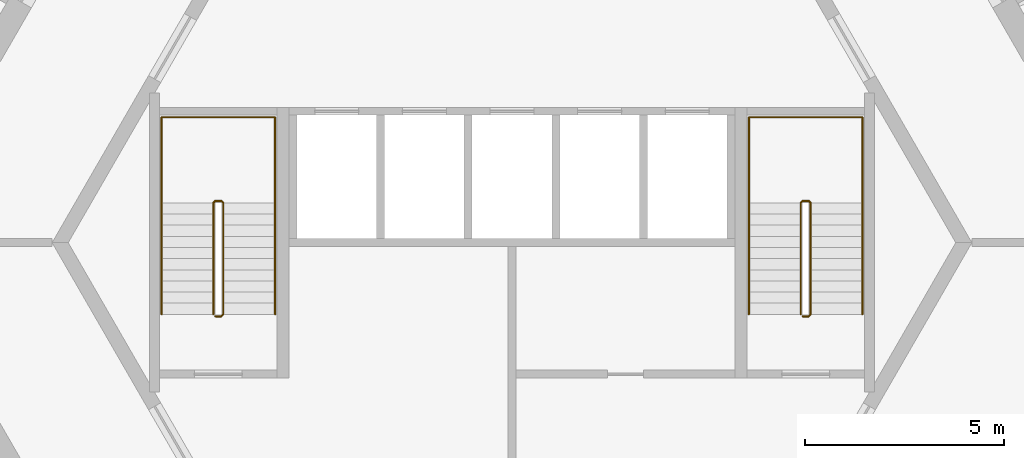
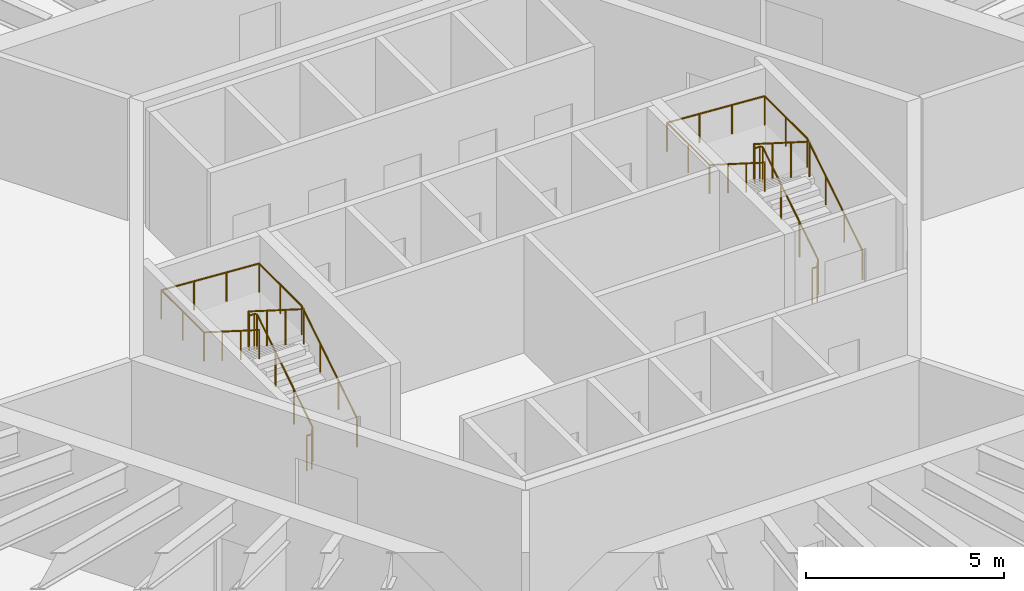
# One storey, part 11 of 11: 4 railings.
"""IFC4 building model written with IfcOpenShell, lengths in metres."""

from ifc_helpers import new_model, si_unit, direction, frame, origin, origin_2d, place, context, subcontext, project, spatial, circle, extrude, material, type_object, element, save


model = new_model("IFC4")

# Units and contexts
model_context = context("Model", 3, precision=1e-05, world=origin(), true_north=direction((0.0, 1.0)))
body_context = subcontext(model_context, "Body", "Model", "MODEL_VIEW")
ifc_project = project(units=[si_unit("LENGTHUNIT", "METRE"), si_unit("AREAUNIT", "SQUARE_METRE"), si_unit("VOLUMEUNIT", "CUBIC_METRE"), si_unit("PLANEANGLEUNIT", "RADIAN"), si_unit("MASSUNIT", "GRAM", prefix="KILO")], contexts=[model_context])

# Site, building, storey
site_placement = place(None, origin())
site = spatial("IfcSite", under=ifc_project, at=site_placement, CompositionType="ELEMENT")
building_placement = place(site_placement, origin())
building = spatial("IfcBuilding", under=site, at=building_placement, Name="Tarnside Tower", CompositionType="ELEMENT")
storey_placement = place(building_placement, frame((0.0, 0.0, 107.699951171875)))
storey = spatial("IfcBuildingStorey", under=building, at=storey_placement, Name="L24", CompositionType="ELEMENT", Elevation=107.699951171875)

# Railings
ifc_material = material(Name="Stainless steel", Category="steel")
railing_type_1 = type_object("IfcRailingType", Name="Stair guard 1100", PredefinedType="GUARDRAIL", material=ifc_material)
railing_1_placement = place(storey_placement, frame((7.300048828125, -1.85009765625, 0.0)))
element("IfcRailing", 1, at=railing_1_placement, inside=storey, type_object=railing_type_1, Name="L24 ST1 stair guard 1", PredefinedType="GUARDRAIL", context=body_context, shape_type="SweptSolid", body=[
    extrude(circle(Radius=0.02392578125, at=origin_2d()), frame((0.0, 0.0, 1.076171875), z_axis=(1.0, 0.0, 0.0), x_axis=(0.0, 1.0, 0.0)), (0.0, 0.0, 1.0), 0.14990234375),
    extrude(circle(Radius=0.02392578125, at=origin_2d()), frame((0.14990234375, 0.0, 1.076171875), z_axis=(0.262233686654, 0.262233686654, 0.928691007369), x_axis=(-0.707106781187, 0.707106781187, 0.0)), (0.0, 0.0, 1.0), 0.19091796875),
    extrude(circle(Radius=0.02392578125, at=origin_2d()), frame((0.199951171875, 0.050048828125, 1.25341796875), z_axis=(0.0, 0.844908973607, 0.534910110503), x_axis=(-1.0, 0.0, 0.0)), (0.0, 0.0, 1.0), 3.31396484375),
    extrude(circle(Radius=0.02392578125, at=origin_2d()), frame((0.199951171875, 2.85009765625, 3.02587890625), z_axis=(-0.707106781187, 0.707106781187, 0.0), x_axis=(-0.707106781187, -0.707106781187, 0.0)), (0.0, 0.0, 1.0), 0.07080078125),
    extrude(circle(Radius=0.02392578125, at=origin_2d()), frame((0.14990234375, 2.900146484375, 3.02587890625), z_axis=(-1.0, 0.0, 0.0), x_axis=(0.0, -1.0, 0.0)), (0.0, 0.0, 1.0), 0.14990234375),
    extrude(circle(Radius=0.02392578125, at=origin_2d()), frame((0.0, 2.900146484375, 3.02587890625), z_axis=(-0.261922500866, -0.261922500866, 0.928866625022), x_axis=(0.707106781187, -0.707106781187, 0.0)), (0.0, 0.0, 1.0), 0.191162109375),
    extrude(circle(Radius=0.02392578125, at=origin_2d()), frame((-0.050048828125, 2.85009765625, 3.20361328125), z_axis=(0.0, -0.844908973607, 0.534910110503), x_axis=(1.0, 0.0, 0.0)), (0.0, 0.0, 1.0), 3.31396484375),
    extrude(circle(Radius=0.02099609375, at=origin_2d()), origin(), (0.0, 0.0, 1.0), 1.052001953125),
    extrude(circle(Radius=0.02099609375, at=origin_2d()), frame((0.14990234375, 0.0, 0.0)), (0.0, 0.0, 1.0), 1.052001953125),
    extrude(circle(Radius=0.02099609375, at=origin_2d()), frame((0.199951171875, 0.050048828125, 0.17724609375)), (0.0, 0.0, 1.0), 1.052001953125),
    extrude(circle(Radius=0.02099609375, at=origin_2d()), frame((0.199951171875, 0.9833984375, 0.76806640625)), (0.0, 0.0, 1.0), 1.052001953125),
    extrude(circle(Radius=0.02099609375, at=origin_2d()), frame((0.199951171875, 1.916748046875, 1.359130859375)), (0.0, 0.0, 1.0), 1.052001953125),
    extrude(circle(Radius=0.02099609375, at=origin_2d()), frame((0.199951171875, 2.85009765625, 1.949951171875)), (0.0, 0.0, 1.0), 1.052001953125),
    extrude(circle(Radius=0.02099609375, at=origin_2d()), frame((0.14990234375, 2.900146484375, 1.949951171875)), (0.0, 0.0, 1.0), 1.052001953125),
    extrude(circle(Radius=0.02099609375, at=origin_2d()), frame((0.0, 2.900146484375, 1.949951171875)), (0.0, 0.0, 1.0), 1.052001953125),
    extrude(circle(Radius=0.02099609375, at=origin_2d()), frame((-0.050048828125, 2.85009765625, 2.12744140625)), (0.0, 0.0, 1.0), 1.052001953125),
    extrude(circle(Radius=0.02099609375, at=origin_2d()), frame((-0.050048828125, 1.916748046875, 2.71826171875)), (0.0, 0.0, 1.0), 1.052001953125),
    extrude(circle(Radius=0.02099609375, at=origin_2d()), frame((-0.050048828125, 0.9833984375, 3.309326171875)), (0.0, 0.0, 1.0), 1.052001953125),
    extrude(circle(Radius=0.02099609375, at=origin_2d()), frame((-0.050048828125, 0.050048828125, 3.900146484375)), (0.0, 0.0, 1.0), 1.052001953125),
])
railing_2_placement = place(storey_placement, frame((-7.449951171875, -1.85009765625, 0.0)))
element("IfcRailing", 2, at=railing_2_placement, inside=storey, type_object=railing_type_1, Name="L24 ST2 stair guard 1", PredefinedType="GUARDRAIL", context=body_context, shape_type="SweptSolid", body=[
    extrude(circle(Radius=0.02392578125, at=origin_2d()), frame((0.0, 0.0, 1.076171875), z_axis=(1.0, 0.0, 0.0), x_axis=(0.0, 1.0, 0.0)), (0.0, 0.0, 1.0), 0.14990234375),
    extrude(circle(Radius=0.02392578125, at=origin_2d()), frame((0.14990234375, 0.0, 1.076171875), z_axis=(0.262233686654, 0.262233686654, 0.928691007369), x_axis=(-0.707106781187, 0.707106781187, 0.0)), (0.0, 0.0, 1.0), 0.19091796875),
    extrude(circle(Radius=0.02392578125, at=origin_2d()), frame((0.199951171875, 0.050048828125, 1.25341796875), z_axis=(0.0, 0.844908973607, 0.534910110503), x_axis=(-1.0, 0.0, 0.0)), (0.0, 0.0, 1.0), 3.31396484375),
    extrude(circle(Radius=0.02392578125, at=origin_2d()), frame((0.199951171875, 2.85009765625, 3.02587890625), z_axis=(-0.707106781187, 0.707106781187, 0.0), x_axis=(-0.707106781187, -0.707106781187, 0.0)), (0.0, 0.0, 1.0), 0.07080078125),
    extrude(circle(Radius=0.02392578125, at=origin_2d()), frame((0.14990234375, 2.900146484375, 3.02587890625), z_axis=(-1.0, 0.0, 0.0), x_axis=(0.0, -1.0, 0.0)), (0.0, 0.0, 1.0), 0.14990234375),
    extrude(circle(Radius=0.02392578125, at=origin_2d()), frame((0.0, 2.900146484375, 3.02587890625), z_axis=(-0.261922500866, -0.261922500866, 0.928866625022), x_axis=(0.707106781187, -0.707106781187, 0.0)), (0.0, 0.0, 1.0), 0.191162109375),
    extrude(circle(Radius=0.02392578125, at=origin_2d()), frame((-0.050048828125, 2.85009765625, 3.20361328125), z_axis=(0.0, -0.844908973607, 0.534910110503), x_axis=(1.0, 0.0, 0.0)), (0.0, 0.0, 1.0), 3.31396484375),
    extrude(circle(Radius=0.02099609375, at=origin_2d()), origin(), (0.0, 0.0, 1.0), 1.052001953125),
    extrude(circle(Radius=0.02099609375, at=origin_2d()), frame((0.14990234375, 0.0, 0.0)), (0.0, 0.0, 1.0), 1.052001953125),
    extrude(circle(Radius=0.02099609375, at=origin_2d()), frame((0.199951171875, 0.050048828125, 0.17724609375)), (0.0, 0.0, 1.0), 1.052001953125),
    extrude(circle(Radius=0.02099609375, at=origin_2d()), frame((0.199951171875, 0.9833984375, 0.76806640625)), (0.0, 0.0, 1.0), 1.052001953125),
    extrude(circle(Radius=0.02099609375, at=origin_2d()), frame((0.199951171875, 1.916748046875, 1.359130859375)), (0.0, 0.0, 1.0), 1.052001953125),
    extrude(circle(Radius=0.02099609375, at=origin_2d()), frame((0.199951171875, 2.85009765625, 1.949951171875)), (0.0, 0.0, 1.0), 1.052001953125),
    extrude(circle(Radius=0.02099609375, at=origin_2d()), frame((0.14990234375, 2.900146484375, 1.949951171875)), (0.0, 0.0, 1.0), 1.052001953125),
    extrude(circle(Radius=0.02099609375, at=origin_2d()), frame((0.0, 2.900146484375, 1.949951171875)), (0.0, 0.0, 1.0), 1.052001953125),
    extrude(circle(Radius=0.02099609375, at=origin_2d()), frame((-0.050048828125, 2.85009765625, 2.12744140625)), (0.0, 0.0, 1.0), 1.052001953125),
    extrude(circle(Radius=0.02099609375, at=origin_2d()), frame((-0.050048828125, 1.916748046875, 2.71826171875)), (0.0, 0.0, 1.0), 1.052001953125),
    extrude(circle(Radius=0.02099609375, at=origin_2d()), frame((-0.050048828125, 0.9833984375, 3.309326171875)), (0.0, 0.0, 1.0), 1.052001953125),
    extrude(circle(Radius=0.02099609375, at=origin_2d()), frame((-0.050048828125, 0.050048828125, 3.900146484375)), (0.0, 0.0, 1.0), 1.052001953125),
])
railing_type_2 = type_object("IfcRailingType", Name="Stair handrail 900", PredefinedType="HANDRAIL", material=ifc_material)
railing_3_placement = place(storey_placement, frame((8.800048828125, -1.800048828125, 0.17724609375)))
element("IfcRailing", 3, at=railing_3_placement, inside=storey, type_object=railing_type_2, Name="L24 ST1 stair handrail 1", PredefinedType="HANDRAIL", context=body_context, shape_type="SweptSolid", body=[
    extrude(circle(Radius=0.02392578125, at=origin_2d()), frame((0.0, 0.0, 0.8857421875), z_axis=(0.0, 0.844908973607, 0.534910110503), x_axis=(-1.0, 0.0, 0.0)), (0.0, 0.0, 1.0), 3.31396484375),
    extrude(circle(Radius=0.02392578125, at=origin_2d()), frame((0.0, 2.800048828125, 2.65869140625), z_axis=(0.0, 1.0, 0.0), x_axis=(-1.0, 0.0, 0.0)), (0.0, 0.0, 1.0), 2.14990234375),
    extrude(circle(Radius=0.02392578125, at=origin_2d()), frame((0.0, 4.949951171875, 2.65869140625), z_axis=(-0.998066525363, 0.0, 0.062154733933), x_axis=(0.0, -1.0, 0.0)), (0.0, 0.0, 1.0), 2.855712890625),
    extrude(circle(Radius=0.02392578125, at=origin_2d()), frame((-2.85009765625, 4.949951171875, 2.8359375), z_axis=(0.0, -1.0, 0.0), x_axis=(1.0, 0.0, 0.0)), (0.0, 0.0, 1.0), 2.14990234375),
    extrude(circle(Radius=0.02392578125, at=origin_2d()), frame((-2.85009765625, 2.800048828125, 2.8359375), z_axis=(0.0, -0.844908973607, 0.534910110503), x_axis=(1.0, 0.0, 0.0)), (0.0, 0.0, 1.0), 3.31396484375),
    extrude(circle(Radius=0.02099609375, at=origin_2d()), origin(), (0.0, 0.0, 1.0), 0.86181640625),
    extrude(circle(Radius=0.02099609375, at=origin_2d()), frame((0.0, 0.933349609375, 0.5908203125)), (0.0, 0.0, 1.0), 0.86181640625),
    extrude(circle(Radius=0.02099609375, at=origin_2d()), frame((0.0, 1.86669921875, 1.181884765625)), (0.0, 0.0, 1.0), 0.86181640625),
    extrude(circle(Radius=0.02099609375, at=origin_2d()), frame((0.0, 2.800048828125, 1.772705078125)), (0.0, 0.0, 1.0), 0.86181640625),
    extrude(circle(Radius=0.02099609375, at=origin_2d()), frame((0.0, 3.875, 1.772705078125)), (0.0, 0.0, 1.0), 0.86181640625),
    extrude(circle(Radius=0.02099609375, at=origin_2d()), frame((0.0, 4.949951171875, 1.772705078125)), (0.0, 0.0, 1.0), 0.86181640625),
    extrude(circle(Radius=0.02099609375, at=origin_2d()), frame((-0.949951171875, 4.949951171875, 1.831787109375)), (0.0, 0.0, 1.0), 0.86181640625),
    extrude(circle(Radius=0.02099609375, at=origin_2d()), frame((-1.900146484375, 4.949951171875, 1.89111328125)), (0.0, 0.0, 1.0), 0.86181640625),
    extrude(circle(Radius=0.02099609375, at=origin_2d()), frame((-2.85009765625, 4.949951171875, 1.9501953125)), (0.0, 0.0, 1.0), 0.86181640625),
    extrude(circle(Radius=0.02099609375, at=origin_2d()), frame((-2.85009765625, 3.875, 1.9501953125)), (0.0, 0.0, 1.0), 0.86181640625),
    extrude(circle(Radius=0.02099609375, at=origin_2d()), frame((-2.85009765625, 2.800048828125, 1.9501953125)), (0.0, 0.0, 1.0), 0.86181640625),
    extrude(circle(Radius=0.02099609375, at=origin_2d()), frame((-2.85009765625, 1.86669921875, 2.541015625)), (0.0, 0.0, 1.0), 0.86181640625),
    extrude(circle(Radius=0.02099609375, at=origin_2d()), frame((-2.85009765625, 0.933349609375, 3.132080078125)), (0.0, 0.0, 1.0), 0.86181640625),
    extrude(circle(Radius=0.02099609375, at=origin_2d()), frame((-2.85009765625, 0.0, 3.722900390625)), (0.0, 0.0, 1.0), 0.86181640625),
])
railing_4_placement = place(storey_placement, frame((-5.949951171875, -1.800048828125, 0.17724609375)))
element("IfcRailing", 4, at=railing_4_placement, inside=storey, type_object=railing_type_2, Name="L24 ST2 stair handrail 1", PredefinedType="HANDRAIL", context=body_context, shape_type="SweptSolid", body=[
    extrude(circle(Radius=0.02392578125, at=origin_2d()), frame((0.0, 0.0, 0.8857421875), z_axis=(0.0, 0.844908973607, 0.534910110503), x_axis=(-1.0, 0.0, 0.0)), (0.0, 0.0, 1.0), 3.31396484375),
    extrude(circle(Radius=0.02392578125, at=origin_2d()), frame((0.0, 2.800048828125, 2.65869140625), z_axis=(0.0, 1.0, 0.0), x_axis=(-1.0, 0.0, 0.0)), (0.0, 0.0, 1.0), 2.14990234375),
    extrude(circle(Radius=0.02392578125, at=origin_2d()), frame((0.0, 4.949951171875, 2.65869140625), z_axis=(-0.998066525363, 0.0, 0.062154733933), x_axis=(0.0, -1.0, 0.0)), (0.0, 0.0, 1.0), 2.855712890625),
    extrude(circle(Radius=0.02392578125, at=origin_2d()), frame((-2.85009765625, 4.949951171875, 2.8359375), z_axis=(0.0, -1.0, 0.0), x_axis=(1.0, 0.0, 0.0)), (0.0, 0.0, 1.0), 2.14990234375),
    extrude(circle(Radius=0.02392578125, at=origin_2d()), frame((-2.85009765625, 2.800048828125, 2.8359375), z_axis=(0.0, -0.844908973607, 0.534910110503), x_axis=(1.0, 0.0, 0.0)), (0.0, 0.0, 1.0), 3.31396484375),
    extrude(circle(Radius=0.02099609375, at=origin_2d()), origin(), (0.0, 0.0, 1.0), 0.86181640625),
    extrude(circle(Radius=0.02099609375, at=origin_2d()), frame((0.0, 0.933349609375, 0.5908203125)), (0.0, 0.0, 1.0), 0.86181640625),
    extrude(circle(Radius=0.02099609375, at=origin_2d()), frame((0.0, 1.86669921875, 1.181884765625)), (0.0, 0.0, 1.0), 0.86181640625),
    extrude(circle(Radius=0.02099609375, at=origin_2d()), frame((0.0, 2.800048828125, 1.772705078125)), (0.0, 0.0, 1.0), 0.86181640625),
    extrude(circle(Radius=0.02099609375, at=origin_2d()), frame((0.0, 3.875, 1.772705078125)), (0.0, 0.0, 1.0), 0.86181640625),
    extrude(circle(Radius=0.02099609375, at=origin_2d()), frame((0.0, 4.949951171875, 1.772705078125)), (0.0, 0.0, 1.0), 0.86181640625),
    extrude(circle(Radius=0.02099609375, at=origin_2d()), frame((-0.949951171875, 4.949951171875, 1.831787109375)), (0.0, 0.0, 1.0), 0.86181640625),
    extrude(circle(Radius=0.02099609375, at=origin_2d()), frame((-1.900146484375, 4.949951171875, 1.89111328125)), (0.0, 0.0, 1.0), 0.86181640625),
    extrude(circle(Radius=0.02099609375, at=origin_2d()), frame((-2.85009765625, 4.949951171875, 1.9501953125)), (0.0, 0.0, 1.0), 0.86181640625),
    extrude(circle(Radius=0.02099609375, at=origin_2d()), frame((-2.85009765625, 3.875, 1.9501953125)), (0.0, 0.0, 1.0), 0.86181640625),
    extrude(circle(Radius=0.02099609375, at=origin_2d()), frame((-2.85009765625, 2.800048828125, 1.9501953125)), (0.0, 0.0, 1.0), 0.86181640625),
    extrude(circle(Radius=0.02099609375, at=origin_2d()), frame((-2.85009765625, 1.86669921875, 2.541015625)), (0.0, 0.0, 1.0), 0.86181640625),
    extrude(circle(Radius=0.02099609375, at=origin_2d()), frame((-2.85009765625, 0.933349609375, 3.132080078125)), (0.0, 0.0, 1.0), 0.86181640625),
    extrude(circle(Radius=0.02099609375, at=origin_2d()), frame((-2.85009765625, 0.0, 3.722900390625)), (0.0, 0.0, 1.0), 0.86181640625),
])

save(model, "model.ifc")
